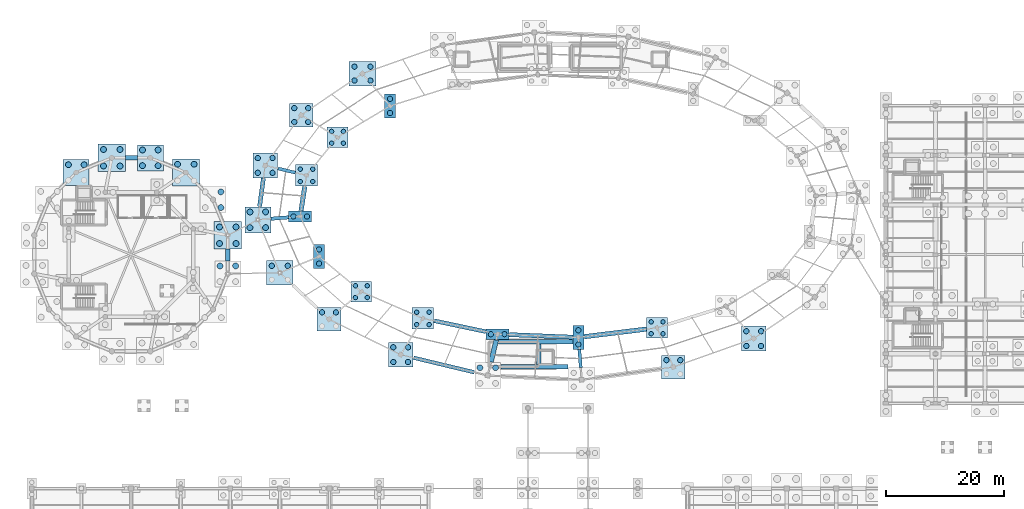
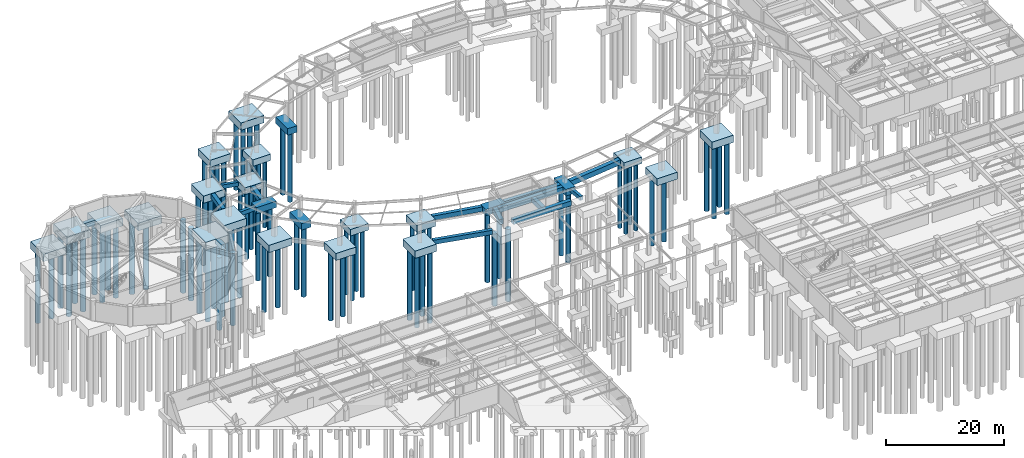
# One storey, part 5 of 38: 82 piles, 39 footings.
"""IFC4 building model written with IfcOpenShell, lengths in metres."""

from ifc_helpers import new_model, si_unit, direction, frame, origin, origin_2d, place, context, subcontext, project, spatial, polyline, rectangle, circle, outline, extrude, material, material_profile, profile_set, type_object, element, save


model = new_model("IFC4")

# Units and contexts
model_context = context("Model", 3, precision=1e-05, world=origin(), true_north=direction((0.0, 1.0)))
body_context = subcontext(model_context, "Body", "Model", "MODEL_VIEW")
ifc_project = project(units=[si_unit("LENGTHUNIT", "METRE"), si_unit("AREAUNIT", "SQUARE_METRE"), si_unit("VOLUMEUNIT", "CUBIC_METRE"), si_unit("PLANEANGLEUNIT", "RADIAN"), si_unit("MASSUNIT", "GRAM", prefix="KILO"), si_unit("THERMODYNAMICTEMPERATUREUNIT", "KELVIN"), si_unit("POWERUNIT", "WATT")], contexts=[model_context])

# Site, building, storey
site_placement = place(None, origin())
site = spatial("IfcSite", under=ifc_project, at=site_placement, CompositionType="ELEMENT")
building_placement = place(site_placement, origin())
building = spatial("IfcBuilding", under=site, at=building_placement, Name="Darbajah Civic Hall", CompositionType="ELEMENT")
storey_placement = place(building_placement, frame((0.0, 0.0, -4.199951171875)))
storey = spatial("IfcBuildingStorey", under=building, at=storey_placement, Name="B01", CompositionType="ELEMENT", Elevation=-4.199951171875)

# Piles
ifc_material = material(Name="Concrete C45/55", Category="concrete")
ifc_material_profile_1 = material_profile(ifc_material, circle(Radius=0.5, at=origin_2d()), Name="BORED PILE D1000")
ifc_profile_set_1 = profile_set([ifc_material_profile_1], Name="Concrete C45/55")
pile_type_1 = type_object("IfcPileType", Name="BORED PILE D1000", PredefinedType="BORED", material=ifc_profile_set_1)
for number, where, z_axis, x_axis, name in (
    (1, (36.93212890625, 86.160400390625, -1.449951171875), (0.0, 0.0, -1.0), (1.0, 0.0, 0.0), "B01 bored pile P-1000 V1O-10-1"),
    (2, (39.582275390625, 86.160400390625, -1.449951171875), (0.0, 0.0, -1.0), (1.0, 0.0, 0.0), "B01 bored pile P-1000 V1O-10-2"),
    (3, (36.93212890625, 88.810546875, -1.449951171875), (0.0, 0.0, -1.0), (1.0, 0.0, 0.0), "B01 bored pile P-1000 V1O-10-3"),
    (4, (39.582275390625, 88.810546875, -1.449951171875), (0.0, 0.0, -1.0), (1.0, 0.0, 0.0), "B01 bored pile P-1000 V1O-10-4"),
    (5, (75.869384765625, 62.440185546875, -1.449951171875), (0.0, 0.0, -1.0), (1.0, 0.0, 0.0), "B01 bored pile P-1000 V1O-14-3"),
    (6, (78.519287109375, 62.440185546875, -1.449951171875), (0.0, 0.0, -1.0), (1.0, 0.0, 0.0), "B01 bored pile P-1000 V1O-14-4"),
):
    element("IfcPile", number, at=place(storey_placement, frame(where, z_axis=z_axis, x_axis=x_axis)), inside=storey, type_object=pile_type_1, Name=name, PredefinedType="BORED", context=body_context, shape_type="SweptSolid", body=[
        extrude(circle(Radius=0.5, at=origin_2d()), origin(), (0.0, 0.0, 1.0), 15.0),
    ])
for number, where, z_axis, x_axis, name in (
    (7, (31.780029296875, 83.458251953125, -1.5), (0.0, 0.0, -1.0), (1.0, 0.0, 0.0), "B01 bored pile P-1000 V2D-00-1"),
    (8, (34.580078125, 83.458251953125, -1.5), (0.0, 0.0, -1.0), (1.0, 0.0, 0.0), "B01 bored pile P-1000 V2D-00-2"),
    (9, (31.780029296875, 86.25830078125, -1.5), (0.0, 0.0, -1.0), (1.0, 0.0, 0.0), "B01 bored pile P-1000 V2D-00-3"),
    (10, (34.580078125, 86.25830078125, -1.5), (0.0, 0.0, -1.0), (1.0, 0.0, 0.0), "B01 bored pile P-1000 V2D-00-4"),
):
    element("IfcPile", number, at=place(storey_placement, frame(where, z_axis=z_axis, x_axis=x_axis)), inside=storey, type_object=pile_type_1, Name=name, PredefinedType="BORED", context=body_context, shape_type="SweptSolid", body=[
        extrude(circle(Radius=0.5, at=origin_2d()), origin(), (0.0, 0.0, 1.0), 15.5),
    ])
for number, where, z_axis, x_axis, name in (
    (11, (32.01123046875, 89.553466796875, -1.449951171875), (0.0, 0.0, -1.0), (1.0, 0.0, 0.0), "B01 bored pile P-1000 V2D-01-2"),
    (12, (32.01123046875, 92.20361328125, -1.449951171875), (0.0, 0.0, -1.0), (1.0, 0.0, 0.0), "B01 bored pile P-1000 V2D-01-4"),
):
    element("IfcPile", number, at=place(storey_placement, frame(where, z_axis=z_axis, x_axis=x_axis)), inside=storey, type_object=pile_type_1, Name=name, PredefinedType="BORED", context=body_context, shape_type="SweptSolid", body=[
        extrude(circle(Radius=0.5, at=origin_2d()), origin(), (0.0, 0.0, 1.0), 15.0),
    ])
for number, where, z_axis, x_axis, name in (
    (13, (24.678466796875, 96.88623046875, -1.5), (0.0, 0.0, -1.0), (1.0, 0.0, 0.0), "B01 bored pile P-1000 V2D-02-3"),
    (14, (27.478515625, 96.88623046875, -1.5), (0.0, 0.0, -1.0), (1.0, 0.0, 0.0), "B01 bored pile P-1000 V2D-02-4"),
):
    element("IfcPile", number, at=place(storey_placement, frame(where, z_axis=z_axis, x_axis=x_axis)), inside=storey, type_object=pile_type_1, Name=name, PredefinedType="BORED", context=body_context, shape_type="SweptSolid", body=[
        extrude(circle(Radius=0.5, at=origin_2d()), origin(), (0.0, 0.0, 1.0), 15.5),
    ])
for number, where, z_axis, x_axis, name in (
    (15, (18.733154296875, 96.655029296875, -1.449951171875), (0.0, 0.0, -1.0), (1.0, 0.0, 0.0), "B01 bored pile P-1000 V2D-03-1"),
    (16, (21.38330078125, 96.655029296875, -1.449951171875), (0.0, 0.0, -1.0), (1.0, 0.0, 0.0), "B01 bored pile P-1000 V2D-03-2"),
    (17, (18.733154296875, 99.304931640625, -1.449951171875), (0.0, 0.0, -1.0), (1.0, 0.0, 0.0), "B01 bored pile P-1000 V2D-03-3"),
    (18, (21.38330078125, 99.304931640625, -1.449951171875), (0.0, 0.0, -1.0), (1.0, 0.0, 0.0), "B01 bored pile P-1000 V2D-03-4"),
):
    element("IfcPile", number, at=place(storey_placement, frame(where, z_axis=z_axis, x_axis=x_axis)), inside=storey, type_object=pile_type_1, Name=name, PredefinedType="BORED", context=body_context, shape_type="SweptSolid", body=[
        extrude(circle(Radius=0.5, at=origin_2d()), origin(), (0.0, 0.0, 1.0), 15.0),
    ])
for number, where, z_axis, x_axis, name in (
    (19, (12.141845703125, 96.580078125, -1.5), (0.0, 0.0, -1.0), (1.0, 0.0, 0.0), "B01 bored pile P-1000 V2D-04-1"),
    (20, (14.94189453125, 96.580078125, -1.5), (0.0, 0.0, -1.0), (1.0, 0.0, 0.0), "B01 bored pile P-1000 V2D-04-2"),
    (21, (12.141845703125, 99.3798828125, -1.5), (0.0, 0.0, -1.0), (1.0, 0.0, 0.0), "B01 bored pile P-1000 V2D-04-3"),
    (22, (14.94189453125, 99.3798828125, -1.5), (0.0, 0.0, -1.0), (1.0, 0.0, 0.0), "B01 bored pile P-1000 V2D-04-4"),
):
    element("IfcPile", number, at=place(storey_placement, frame(where, z_axis=z_axis, x_axis=x_axis)), inside=storey, type_object=pile_type_1, Name=name, PredefinedType="BORED", context=body_context, shape_type="SweptSolid", body=[
        extrude(circle(Radius=0.5, at=origin_2d()), origin(), (0.0, 0.0, 1.0), 15.5),
    ])
for number, where, z_axis, x_axis, name in (
    (23, (6.196533203125, 96.811279296875, -1.449951171875), (0.0, 0.0, -1.0), (1.0, 0.0, 0.0), "B01 bored pile P-1000 V2D-05-3"),
    (24, (8.846435546875, 96.811279296875, -1.449951171875), (0.0, 0.0, -1.0), (1.0, 0.0, 0.0), "B01 bored pile P-1000 V2D-05-4"),
    (25, (31.85498046875, 79.666748046875, -1.449951171875), (0.0, 0.0, -1.0), (1.0, 0.0, 0.0), "B01 bored pile P-1000 V2D-15-3"),
    (26, (34.5048828125, 79.666748046875, -1.449951171875), (0.0, 0.0, -1.0), (1.0, 0.0, 0.0), "B01 bored pile P-1000 V2D-15-4"),
):
    element("IfcPile", number, at=place(storey_placement, frame(where, z_axis=z_axis, x_axis=x_axis)), inside=storey, type_object=pile_type_1, Name=name, PredefinedType="BORED", context=body_context, shape_type="SweptSolid", body=[
        extrude(circle(Radius=0.5, at=origin_2d()), origin(), (0.0, 0.0, 1.0), 15.0),
    ])
ifc_material_profile_2 = material_profile(ifc_material, circle(Radius=0.375, at=origin_2d()), Name="BORED PILE D750")
ifc_profile_set_2 = profile_set([ifc_material_profile_2], Name="Concrete C45/55")
pile_type_2 = type_object("IfcPileType", Name="BORED PILE D750", PredefinedType="BORED", material=ifc_profile_set_2)
for number, where, z_axis, x_axis, name in (
    (27, (50.75439453125, 100.45166015625, -1.25), (0.0, 0.0, -1.0), (1.0, 0.0, 0.0), "B01 bored pile P-750 V1I-08-1"),
    (28, (52.75439453125, 100.45166015625, -1.25), (0.0, 0.0, -1.0), (1.0, 0.0, 0.0), "B01 bored pile P-750 V1I-08-2"),
    (29, (50.75439453125, 102.45166015625, -1.25), (0.0, 0.0, -1.0), (1.0, 0.0, 0.0), "B01 bored pile P-750 V1I-08-3"),
    (30, (52.75439453125, 102.45166015625, -1.25), (0.0, 0.0, -1.0), (1.0, 0.0, 0.0), "B01 bored pile P-750 V1I-08-4"),
    (31, (45.460205078125, 93.955810546875, -1.300048828125), (0.0, 0.0, -1.0), (1.0, 0.0, 0.0), "B01 bored pile P-750 V1I-09-1"),
    (32, (47.560302734375, 93.955810546875, -1.300048828125), (0.0, 0.0, -1.0), (1.0, 0.0, 0.0), "B01 bored pile P-750 V1I-09-2"),
    (33, (45.460205078125, 96.055908203125, -1.300048828125), (0.0, 0.0, -1.0), (1.0, 0.0, 0.0), "B01 bored pile P-750 V1I-09-3"),
    (34, (47.560302734375, 96.055908203125, -1.300048828125), (0.0, 0.0, -1.0), (1.0, 0.0, 0.0), "B01 bored pile P-750 V1I-09-4"),
    (35, (54.794189453125, 74.3173828125, -1.25), (0.0, 0.0, -1.0), (1.0, 0.0, 0.0), "B01 bored pile P-750 V1I-12-1"),
    (36, (56.794189453125, 74.3173828125, -1.25), (0.0, 0.0, -1.0), (1.0, 0.0, 0.0), "B01 bored pile P-750 V1I-12-2"),
    (37, (54.794189453125, 76.3173828125, -1.25), (0.0, 0.0, -1.0), (1.0, 0.0, 0.0), "B01 bored pile P-750 V1I-12-3"),
    (38, (56.794189453125, 76.3173828125, -1.25), (0.0, 0.0, -1.0), (1.0, 0.0, 0.0), "B01 bored pile P-750 V1I-12-4"),
    (39, (65.16455078125, 69.736083984375, -1.300048828125), (0.0, 0.0, -1.0), (1.0, 0.0, 0.0), "B01 bored pile P-750 V1I-13-1"),
    (40, (67.2646484375, 69.736083984375, -1.300048828125), (0.0, 0.0, -1.0), (1.0, 0.0, 0.0), "B01 bored pile P-750 V1I-13-2"),
    (41, (65.16455078125, 71.836181640625, -1.300048828125), (0.0, 0.0, -1.0), (1.0, 0.0, 0.0), "B01 bored pile P-750 V1I-13-3"),
    (42, (67.2646484375, 71.836181640625, -1.300048828125), (0.0, 0.0, -1.0), (1.0, 0.0, 0.0), "B01 bored pile P-750 V1I-13-4"),
    (43, (104.861572265625, 68.197509765625, -1.25), (0.0, 0.0, -1.0), (1.0, 0.0, 0.0), "B01 bored pile P-750 V1I-16-1"),
    (44, (106.861572265625, 68.197509765625, -1.25), (0.0, 0.0, -1.0), (1.0, 0.0, 0.0), "B01 bored pile P-750 V1I-16-2"),
    (45, (104.861572265625, 70.197509765625, -1.25), (0.0, 0.0, -1.0), (1.0, 0.0, 0.0), "B01 bored pile P-750 V1I-16-3"),
    (46, (106.861572265625, 70.197509765625, -1.25), (0.0, 0.0, -1.0), (1.0, 0.0, 0.0), "B01 bored pile P-750 V1I-16-4"),
):
    element("IfcPile", number, at=place(storey_placement, frame(where, z_axis=z_axis, x_axis=x_axis)), inside=storey, type_object=pile_type_2, Name=name, PredefinedType="BORED", context=body_context, shape_type="SweptSolid", body=[
        extrude(circle(Radius=0.375, at=origin_2d()), origin(), (0.0, 0.0, 1.0), 14.0),
    ])
ifc_material_profile_3 = material_profile(ifc_material, circle(Radius=0.449951171875, at=origin_2d()), Name="BORED PILE D900")
ifc_profile_set_3 = profile_set([ifc_material_profile_3], Name="Concrete C45/55")
pile_type_3 = type_object("IfcPileType", Name="BORED PILE D900", PredefinedType="BORED", material=ifc_profile_set_3)
for number, where, z_axis, x_axis, name in (
    (47, (54.628173828125, 111.056884765625, -1.420166015625), (0.0, 0.0, -1.0), (1.0, 0.0, 0.0), "B01 bored pile P-900 V1O-07-1"),
    (48, (57.328125, 111.056884765625, -1.420166015625), (0.0, 0.0, -1.0), (1.0, 0.0, 0.0), "B01 bored pile P-900 V1O-07-2"),
    (49, (54.628173828125, 113.406982421875, -1.420166015625), (0.0, 0.0, -1.0), (1.0, 0.0, 0.0), "B01 bored pile P-900 V1O-07-3"),
    (50, (57.328125, 113.406982421875, -1.420166015625), (0.0, 0.0, -1.0), (1.0, 0.0, 0.0), "B01 bored pile P-900 V1O-07-4"),
    (51, (60.654296875, 105.55712890625, -1.25), (0.0, 0.0, -1.0), (1.0, 0.0, 0.0), "B01 bored pile P-900 V1I-07-1"),
    (52, (60.654296875, 107.95703125, -1.25), (0.0, 0.0, -1.0), (1.0, 0.0, 0.0), "B01 bored pile P-900 V1I-07-2"),
    (53, (44.4404296875, 104.038818359375, -1.35009765625), (0.0, 0.0, -1.0), (1.0, 0.0, 0.0), "B01 bored pile P-900 V1O-08-1"),
    (54, (46.790283203125, 104.038818359375, -1.35009765625), (0.0, 0.0, -1.0), (1.0, 0.0, 0.0), "B01 bored pile P-900 V1O-08-2"),
    (55, (44.4404296875, 106.388671875, -1.35009765625), (0.0, 0.0, -1.0), (1.0, 0.0, 0.0), "B01 bored pile P-900 V1O-08-3"),
    (56, (46.790283203125, 106.388671875, -1.35009765625), (0.0, 0.0, -1.0), (1.0, 0.0, 0.0), "B01 bored pile P-900 V1O-08-4"),
):
    element("IfcPile", number, at=place(storey_placement, frame(where, z_axis=z_axis, x_axis=x_axis)), inside=storey, type_object=pile_type_3, Name=name, PredefinedType="BORED", context=body_context, shape_type="SweptSolid", body=[
        extrude(circle(Radius=0.449951171875, at=origin_2d()), origin(), (0.0, 0.0, 1.0), 14.5),
    ])
for number, where, z_axis, x_axis, name in (
    (57, (38.259033203125, 95.4365234375, -1.400146484375), (0.0, 0.0, -1.0), (1.0, 0.0, 0.0), "B01 bored pile P-900 V1O-09-1"),
    (58, (40.759033203125, 95.4365234375, -1.400146484375), (0.0, 0.0, -1.0), (1.0, 0.0, 0.0), "B01 bored pile P-900 V1O-09-2"),
    (59, (38.259033203125, 97.9365234375, -1.400146484375), (0.0, 0.0, -1.0), (1.0, 0.0, 0.0), "B01 bored pile P-900 V1O-09-3"),
    (60, (40.759033203125, 97.9365234375, -1.400146484375), (0.0, 0.0, -1.0), (1.0, 0.0, 0.0), "B01 bored pile P-900 V1O-09-4"),
):
    element("IfcPile", number, at=place(storey_placement, frame(where, z_axis=z_axis, x_axis=x_axis)), inside=storey, type_object=pile_type_3, Name=name, PredefinedType="BORED", context=body_context, shape_type="SweptSolid", body=[
        extrude(circle(Radius=0.449951171875, at=origin_2d()), origin(), (0.0, 0.0, 1.0), 15.0),
    ])
for number, where, z_axis, x_axis, name in (
    (61, (44.284912109375, 88.05029296875, -1.199951171875), (0.0, 0.0, -1.0), (1.0, 0.0, 0.0), "B01 bored pile P-900 V1I-10-1"),
    (62, (46.5849609375, 88.05029296875, -1.199951171875), (0.0, 0.0, -1.0), (1.0, 0.0, 0.0), "B01 bored pile P-900 V1I-10-2"),
    (63, (40.632080078125, 79.685791015625, -1.420166015625), (0.0, 0.0, -1.0), (1.0, 0.0, 0.0), "B01 bored pile P-900 V1O-11-3"),
    (64, (43.33203125, 79.685791015625, -1.420166015625), (0.0, 0.0, -1.0), (1.0, 0.0, 0.0), "B01 bored pile P-900 V1O-11-4"),
    (65, (48.634033203125, 80.066162109375, -1.25), (0.0, 0.0, -1.0), (1.0, 0.0, 0.0), "B01 bored pile P-900 V1I-11-1"),
    (66, (48.634033203125, 82.46630859375, -1.25), (0.0, 0.0, -1.0), (1.0, 0.0, 0.0), "B01 bored pile P-900 V1I-11-2"),
    (67, (49.144287109375, 71.81640625, -1.35009765625), (0.0, 0.0, -1.0), (1.0, 0.0, 0.0), "B01 bored pile P-900 V1O-12-3"),
    (68, (51.494384765625, 71.81640625, -1.35009765625), (0.0, 0.0, -1.0), (1.0, 0.0, 0.0), "B01 bored pile P-900 V1O-12-4"),
):
    element("IfcPile", number, at=place(storey_placement, frame(where, z_axis=z_axis, x_axis=x_axis)), inside=storey, type_object=pile_type_3, Name=name, PredefinedType="BORED", context=body_context, shape_type="SweptSolid", body=[
        extrude(circle(Radius=0.449951171875, at=origin_2d()), origin(), (0.0, 0.0, 1.0), 14.5),
    ])
for number, where, z_axis, x_axis, name in (
    (69, (61.20263671875, 63.397216796875, -1.400146484375), (0.0, 0.0, -1.0), (1.0, 0.0, 0.0), "B01 bored pile P-900 V1O-13-1"),
    (70, (63.70263671875, 63.397216796875, -1.400146484375), (0.0, 0.0, -1.0), (1.0, 0.0, 0.0), "B01 bored pile P-900 V1O-13-2"),
    (71, (61.20263671875, 65.897216796875, -1.400146484375), (0.0, 0.0, -1.0), (1.0, 0.0, 0.0), "B01 bored pile P-900 V1O-13-3"),
    (72, (63.70263671875, 65.897216796875, -1.400146484375), (0.0, 0.0, -1.0), (1.0, 0.0, 0.0), "B01 bored pile P-900 V1O-13-4"),
):
    element("IfcPile", number, at=place(storey_placement, frame(where, z_axis=z_axis, x_axis=x_axis)), inside=storey, type_object=pile_type_3, Name=name, PredefinedType="BORED", context=body_context, shape_type="SweptSolid", body=[
        extrude(circle(Radius=0.449951171875, at=origin_2d()), origin(), (0.0, 0.0, 1.0), 15.0),
    ])
for number, where, z_axis, x_axis, name in (
    (73, (77.72509765625, 68.1162109375, -1.199951171875), (0.0, 0.0, -1.0), (1.0, 0.0, 0.0), "B01 bored pile P-900 V1I-14-1"),
    (74, (80.025146484375, 68.1162109375, -1.199951171875), (0.0, 0.0, -1.0), (1.0, 0.0, 0.0), "B01 bored pile P-900 V1I-14-2"),
    (75, (92.53662109375, 66.36865234375, -1.25), (0.0, 0.0, -1.0), (1.0, 0.0, 0.0), "B01 bored pile P-900 V1I-15-1"),
    (76, (92.53662109375, 68.768798828125, -1.25), (0.0, 0.0, -1.0), (1.0, 0.0, 0.0), "B01 bored pile P-900 V1I-15-2"),
    (77, (107.44189453125, 63.720703125, -1.35009765625), (0.0, 0.0, -1.0), (1.0, 0.0, 0.0), "B01 bored pile P-900 V1O-16-3"),
    (78, (109.7919921875, 63.720703125, -1.35009765625), (0.0, 0.0, -1.0), (1.0, 0.0, 0.0), "B01 bored pile P-900 V1O-16-4"),
):
    element("IfcPile", number, at=place(storey_placement, frame(where, z_axis=z_axis, x_axis=x_axis)), inside=storey, type_object=pile_type_3, Name=name, PredefinedType="BORED", context=body_context, shape_type="SweptSolid", body=[
        extrude(circle(Radius=0.449951171875, at=origin_2d()), origin(), (0.0, 0.0, 1.0), 14.5),
    ])
for number, where, z_axis, x_axis, name in (
    (79, (120.971923828125, 66.117919921875, -1.400146484375), (0.0, 0.0, -1.0), (1.0, 0.0, 0.0), "B01 bored pile P-900 V1O-17-1"),
    (80, (123.471923828125, 66.117919921875, -1.400146484375), (0.0, 0.0, -1.0), (1.0, 0.0, 0.0), "B01 bored pile P-900 V1O-17-2"),
    (81, (120.971923828125, 68.617919921875, -1.400146484375), (0.0, 0.0, -1.0), (1.0, 0.0, 0.0), "B01 bored pile P-900 V1O-17-3"),
    (82, (123.471923828125, 68.617919921875, -1.400146484375), (0.0, 0.0, -1.0), (1.0, 0.0, 0.0), "B01 bored pile P-900 V1O-17-4"),
):
    element("IfcPile", number, at=place(storey_placement, frame(where, z_axis=z_axis, x_axis=x_axis)), inside=storey, type_object=pile_type_3, Name=name, PredefinedType="BORED", context=body_context, shape_type="SweptSolid", body=[
        extrude(circle(Radius=0.449951171875, at=origin_2d()), origin(), (0.0, 0.0, 1.0), 15.0),
    ])

# Footings
footing_type_1 = type_object("IfcFootingType", Name="Ground Strip Footing 550x800", PredefinedType="STRIP_FOOTING", material=ifc_material)
footing_1_placement = place(storey_placement, frame((0.0, 0.0, -0.800048828125)))
element("IfcFooting", 83, at=footing_1_placement, inside=storey, type_object=footing_type_1, Name="B01 ground strip footing SF-06", PredefinedType="STRIP_FOOTING", context=body_context, shape_type="SweptSolid", body=[
    extrude(outline(polyline([(44.68017578125, 95.72802734375), (41.742431640625, 96.43310546875), (41.614013671875, 95.8984375), (44.5517578125, 95.193115234375), (44.68017578125, 95.72802734375)])), origin(), (0.0, 0.0, 1.0), 0.800048828125),
])
footing_2_placement = place(storey_placement, frame((0.0, 0.0, -0.800048828125)))
element("IfcFooting", 84, at=footing_2_placement, inside=storey, type_object=footing_type_1, Name="B01 ground strip footing SF-06", PredefinedType="STRIP_FOOTING", context=body_context, shape_type="SweptSolid", body=[
    extrude(outline(polyline([(92.423828125, 65.49560546875), (92.661865234375, 62.470947265625), (93.210205078125, 62.51416015625), (92.97216796875, 65.538818359375), (92.423828125, 65.49560546875)])), origin(), (0.0, 0.0, 1.0), 0.800048828125),
])
footing_type_2 = type_object("IfcFootingType", Name="Ground Strip Footing 600x850", PredefinedType="STRIP_FOOTING", material=ifc_material)
footing_3_placement = place(storey_placement, frame((0.0, 0.0, -0.85009765625)))
element("IfcFooting", 85, at=footing_3_placement, inside=storey, type_object=footing_type_2, Name="B01 ground strip footing SF-01", PredefinedType="STRIP_FOOTING", context=body_context, shape_type="SweptSolid", body=[
    extrude(outline(polyline([(43.432861328125, 88.19384765625), (40.462158203125, 87.9599609375), (40.50927734375, 87.36181640625), (43.47998046875, 87.595703125), (43.432861328125, 88.19384765625)])), origin(), (0.0, 0.0, 1.0), 0.85009765625),
])
footing_type_3 = type_object("IfcFootingType", Name="Ground Strip Footing 650x900", PredefinedType="STRIP_FOOTING", material=ifc_material)
footing_4_placement = place(storey_placement, frame((0.0, 0.0, -0.900146484375)))
element("IfcFooting", 86, at=footing_4_placement, inside=storey, type_object=footing_type_3, Name="B01 ground strip footing SF-02", PredefinedType="STRIP_FOOTING", context=body_context, shape_type="SweptSolid", body=[
    extrude(outline(polyline([(64.5576171875, 63.80859375), (74.837890625, 61.345458984375), (74.9892578125, 61.9775390625), (64.708984375, 64.440673828125), (64.5576171875, 63.80859375)])), origin(), (0.0, 0.0, 1.0), 0.900146484375),
])
footing_type_4 = type_object("IfcFootingType", Name="Ground Strip Footing 700x950", PredefinedType="STRIP_FOOTING", material=ifc_material)
footing_5_placement = place(storey_placement, frame((0.0, 0.0, -0.949951171875)))
element("IfcFooting", 87, at=footing_5_placement, inside=storey, type_object=footing_type_4, Name="B01 ground strip footing SF-03", PredefinedType="STRIP_FOOTING", context=body_context, shape_type="SweptSolid", body=[
    extrude(outline(polyline([(68.044677734375, 70.04248046875), (76.775634765625, 68.201171875), (76.920166015625, 68.88623046875), (68.18896484375, 70.727294921875), (68.044677734375, 70.04248046875)])), origin(), (0.0, 0.0, 1.0), 0.949951171875),
])
footing_type_5 = type_object("IfcFootingType", Name="Ground Strip Footing 750x1000", PredefinedType="STRIP_FOOTING", material=ifc_material)
footing_6_placement = place(storey_placement, frame((0.0, 0.0, -1.0)))
element("IfcFooting", 88, at=footing_6_placement, inside=storey, type_object=footing_type_5, Name="B01 ground strip footing SF-04", PredefinedType="STRIP_FOOTING", context=body_context, shape_type="SweptSolid", body=[
    extrude(outline(polyline([(38.84423828125, 94.58154296875), (38.1923828125, 89.79150390625), (38.935791015625, 89.6904296875), (39.58740234375, 94.48046875), (38.84423828125, 94.58154296875)])), origin(), (0.0, 0.0, 1.0), 1.0),
])
footing_7_placement = place(storey_placement, frame((0.0, 0.0, -1.0)))
element("IfcFooting", 89, at=footing_7_placement, inside=storey, type_object=footing_type_5, Name="B01 ground strip footing SF-04", PredefinedType="STRIP_FOOTING", context=body_context, shape_type="SweptSolid", body=[
    extrude(outline(polyline([(80.830078125, 67.66259765625), (91.576416015625, 67.23193359375), (91.6064453125, 67.981201171875), (80.860107421875, 68.411865234375), (80.830078125, 67.66259765625)])), origin(), (0.0, 0.0, 1.0), 1.0),
])
footing_8_placement = place(storey_placement, frame((0.0, 0.0, -1.0)))
element("IfcFooting", 90, at=footing_8_placement, inside=storey, type_object=footing_type_5, Name="B01 ground strip footing SF-04", PredefinedType="STRIP_FOOTING", context=body_context, shape_type="SweptSolid", body=[
    extrude(outline(polyline([(17.853271484375, 98.35498046875), (15.8466796875, 98.35498046875), (15.8466796875, 97.60498046875), (17.853271484375, 97.60498046875), (17.853271484375, 98.35498046875)])), origin(), (0.0, 0.0, 1.0), 1.0),
])
footing_9_placement = place(storey_placement, frame((0.0, 0.0, -1.0)))
element("IfcFooting", 91, at=footing_9_placement, inside=storey, type_object=footing_type_5, Name="B01 ground strip footing SF-04", PredefinedType="STRIP_FOOTING", context=body_context, shape_type="SweptSolid", body=[
    extrude(outline(polyline([(33.554931640625, 80.546875), (33.554931640625, 82.55322265625), (32.804931640625, 82.55322265625), (32.804931640625, 80.546875), (33.554931640625, 80.546875)])), origin(), (0.0, 0.0, 1.0), 1.0),
])
footing_10_placement = place(storey_placement, frame((0.0, 0.0, -1.0)))
element("IfcFooting", 92, at=footing_10_placement, inside=storey, type_object=footing_type_5, Name="B01 core C03 strip footing S", PredefinedType="STRIP_FOOTING", context=body_context, shape_type="SweptSolid", body=[
    extrude(outline(polyline([(79.40234375, 62.22509765625), (90.808837890625, 62.22509765625), (90.808837890625, 62.97509765625), (79.40234375, 62.97509765625), (79.40234375, 62.22509765625)])), origin(), (0.0, 0.0, 1.0), 1.0),
])
footing_11_placement = place(storey_placement, frame((0.0, 0.0, -1.0)))
element("IfcFooting", 93, at=footing_11_placement, inside=storey, type_object=footing_type_5, Name="B01 core C03 strip footing N", PredefinedType="STRIP_FOOTING", context=body_context, shape_type="SweptSolid", body=[
    extrude(outline(polyline([(79.039794921875, 66.425048828125), (91.603515625, 66.425048828125), (91.603515625, 67.175048828125), (79.039794921875, 67.175048828125), (79.039794921875, 66.425048828125)])), origin(), (0.0, 0.0, 1.0), 1.0),
])
footing_12_placement = place(storey_placement, frame((0.0, 0.0, -1.0)))
element("IfcFooting", 94, at=footing_12_placement, inside=storey, type_object=footing_type_5, Name="B01 core C03 strip footing E", PredefinedType="STRIP_FOOTING", context=body_context, shape_type="SweptSolid", body=[
    extrude(outline(polyline([(85.425048828125, 62.985107421875), (86.175048828125, 62.985107421875), (86.175048828125, 66.4150390625), (85.425048828125, 66.4150390625), (85.425048828125, 62.985107421875)])), origin(), (0.0, 0.0, 1.0), 1.0),
])
footing_type_6 = type_object("IfcFootingType", Name="Ground Strip Footing 800x1050", PredefinedType="STRIP_FOOTING", material=ifc_material)
footing_13_placement = place(storey_placement, frame((0.0, 0.0, -1.050048828125)))
element("IfcFooting", 95, at=footing_13_placement, inside=storey, type_object=footing_type_6, Name="B01 ground strip footing SF-05", PredefinedType="STRIP_FOOTING", context=body_context, shape_type="SweptSolid", body=[
    extrude(outline(polyline([(45.822509765625, 93.17578125), (45.18896484375, 89.07763671875), (45.979736328125, 88.955322265625), (46.61328125, 93.0537109375), (45.822509765625, 93.17578125)])), origin(), (0.0, 0.0, 1.0), 1.050048828125),
])
footing_14_placement = place(storey_placement, frame((0.0, 0.0, -1.050048828125)))
element("IfcFooting", 96, at=footing_14_placement, inside=storey, type_object=footing_type_6, Name="B01 ground strip footing SF-05", PredefinedType="STRIP_FOOTING", context=body_context, shape_type="SweptSolid", body=[
    extrude(outline(polyline([(78.24658203125, 67.211181640625), (77.357177734375, 63.5068359375), (78.135009765625, 63.320068359375), (79.0244140625, 67.0244140625), (78.24658203125, 67.211181640625)])), origin(), (0.0, 0.0, 1.0), 1.050048828125),
])
footing_15_placement = place(storey_placement, frame((0.0, 0.0, -1.050048828125)))
element("IfcFooting", 97, at=footing_15_placement, inside=storey, type_object=footing_type_6, Name="B01 ground strip footing SF-05", PredefinedType="STRIP_FOOTING", context=body_context, shape_type="SweptSolid", body=[
    extrude(outline(polyline([(93.563720703125, 67.291259765625), (104.1064453125, 68.580078125), (104.009521484375, 69.3740234375), (93.466552734375, 68.08544921875), (93.563720703125, 67.291259765625)])), origin(), (0.0, 0.0, 1.0), 1.050048828125),
])
footing_type_7 = type_object("IfcFootingType", Name="Pile Cap 1850x4050x1350", PredefinedType="PILE_CAP", material=ifc_material)
for number, where, z_axis, x_axis, name in (
    (98, (60.654296875, 106.757080078125, -1.35009765625), (0.0, 0.0, 1.0), (1.0, 0.0, 0.0), "B01 pile cap PC-2D at V1I-07"),
    (99, (48.634033203125, 81.26611328125, -1.35009765625), (0.0, 0.0, 1.0), (1.0, 0.0, 0.0), "B01 pile cap PC-2D at V1I-11"),
    (100, (92.53662109375, 67.568603515625, -1.35009765625), (0.0, 0.0, 1.0), (1.0, 0.0, 0.0), "B01 pile cap PC-2D at V1I-15"),
):
    element("IfcFooting", number, at=place(storey_placement, frame(where, z_axis=z_axis, x_axis=x_axis)), inside=storey, type_object=footing_type_7, Name=name, PredefinedType="PILE_CAP", context=body_context, shape_type="SweptSolid", body=[
        extrude(rectangle(XDim=1.85009765625, YDim=4.050048828125, at=origin_2d()), origin(), (0.0, 0.0, 1.0), 1.35009765625),
    ])
footing_type_8 = type_object("IfcFootingType", Name="Pile Cap 3500x3500x1350", PredefinedType="PILE_CAP", material=ifc_material)
for number, where, z_axis, x_axis, name in (
    (101, (51.75439453125, 101.45166015625, -1.35009765625), (0.0, 0.0, 1.0), (1.0, 0.0, 0.0), "B01 pile cap PC-4A at V1I-08"),
    (102, (55.794189453125, 75.3173828125, -1.35009765625), (0.0, 0.0, 1.0), (1.0, 0.0, 0.0), "B01 pile cap PC-4A at V1I-12"),
    (103, (105.861572265625, 69.197509765625, -1.35009765625), (0.0, 0.0, 1.0), (1.0, 0.0, 0.0), "B01 pile cap PC-4A at V1I-16"),
):
    element("IfcFooting", number, at=place(storey_placement, frame(where, z_axis=z_axis, x_axis=x_axis)), inside=storey, type_object=footing_type_8, Name=name, PredefinedType="PILE_CAP", context=body_context, shape_type="SweptSolid", body=[
        extrude(rectangle(XDim=3.5, YDim=3.5, at=origin_2d()), origin(), (0.0, 0.0, 1.0), 1.35009765625),
    ])
footing_type_9 = type_object("IfcFootingType", Name="Pile Cap 3650x3650x1400", PredefinedType="PILE_CAP", material=ifc_material)
for number, where, z_axis, x_axis, name in (
    (104, (46.51025390625, 95.005859375, -1.39990234375), (0.0, 0.0, 1.0), (1.0, 0.0, 0.0), "B01 pile cap PC-4B at V1I-09"),
    (105, (66.214599609375, 70.7861328125, -1.39990234375), (0.0, 0.0, 1.0), (1.0, 0.0, 0.0), "B01 pile cap PC-4B at V1I-13"),
):
    element("IfcFooting", number, at=place(storey_placement, frame(where, z_axis=z_axis, x_axis=x_axis)), inside=storey, type_object=footing_type_9, Name=name, PredefinedType="PILE_CAP", context=body_context, shape_type="SweptSolid", body=[
        extrude(rectangle(XDim=3.64990234375, YDim=3.64990234375, at=origin_2d()), origin(), (0.0, 0.0, 1.0), 1.39990234375),
    ])
footing_type_10 = type_object("IfcFootingType", Name="Pile Cap 3900x1800x1300", PredefinedType="PILE_CAP", material=ifc_material)
for number, where, z_axis, x_axis, name in (
    (106, (45.43505859375, 88.05029296875, -1.30029296875), (0.0, 0.0, 1.0), (1.0, 0.0, 0.0), "B01 pile cap PC-2C at V1I-10"),
    (107, (78.875, 68.1162109375, -1.30029296875), (0.0, 0.0, 1.0), (1.0, 0.0, 0.0), "B01 pile cap PC-2C at V1I-14"),
):
    element("IfcFooting", number, at=place(storey_placement, frame(where, z_axis=z_axis, x_axis=x_axis)), inside=storey, type_object=footing_type_10, Name=name, PredefinedType="PILE_CAP", context=body_context, shape_type="SweptSolid", body=[
        extrude(rectangle(XDim=3.89990234375, YDim=1.800048828125, at=origin_2d()), origin(), (0.0, 0.0, 1.0), 1.300048828125),
    ])
footing_type_11 = type_object("IfcFootingType", Name="Pile Cap 4000x4000x1450", PredefinedType="PILE_CAP", material=ifc_material)
for number, where, z_axis, x_axis, name in (
    (108, (45.615478515625, 105.213623046875, -1.4501953125), (0.0, 0.0, 1.0), (1.0, 0.0, 0.0), "B01 pile cap PC-4C at V1O-08"),
    (109, (50.3193359375, 70.641357421875, -1.4501953125), (0.0, 0.0, 1.0), (1.0, 0.0, 0.0), "B01 pile cap PC-4C at V1O-12"),
    (110, (108.616943359375, 62.545654296875, -1.4501953125), (0.0, 0.0, 1.0), (1.0, 0.0, 0.0), "B01 pile cap PC-4C at V1O-16"),
):
    element("IfcFooting", number, at=place(storey_placement, frame(where, z_axis=z_axis, x_axis=x_axis)), inside=storey, type_object=footing_type_11, Name=name, PredefinedType="PILE_CAP", context=body_context, shape_type="SweptSolid", body=[
        extrude(rectangle(XDim=4.0, YDim=4.0, at=origin_2d()), origin(), (0.0, 0.0, 1.0), 1.449951171875),
    ])
footing_type_12 = type_object("IfcFootingType", Name="Pile Cap 4200x4200x1500", PredefinedType="PILE_CAP", material=ifc_material)
for number, where, z_axis, x_axis, name in (
    (111, (39.509033203125, 96.6865234375, -1.5), (0.0, 0.0, 1.0), (1.0, 0.0, 0.0), "B01 pile cap PC-4D at V1O-09"),
    (112, (62.45263671875, 64.647216796875, -1.5), (0.0, 0.0, 1.0), (1.0, 0.0, 0.0), "B01 pile cap PC-4D at V1O-13"),
    (113, (122.221923828125, 67.367919921875, -1.5), (0.0, 0.0, 1.0), (1.0, 0.0, 0.0), "B01 pile cap PC-4D at V1O-17"),
):
    element("IfcFooting", number, at=place(storey_placement, frame(where, z_axis=z_axis, x_axis=x_axis)), inside=storey, type_object=footing_type_12, Name=name, PredefinedType="PILE_CAP", context=body_context, shape_type="SweptSolid", body=[
        extrude(rectangle(XDim=4.199951171875, YDim=4.199951171875, at=origin_2d()), origin(), (0.0, 0.0, 1.0), 1.5),
    ])
footing_type_13 = type_object("IfcFootingType", Name="Pile Cap 4400x4400x1550", PredefinedType="PILE_CAP", material=ifc_material)
for number, where, z_axis, x_axis, name in (
    (114, (38.257080078125, 87.485595703125, -1.55029296875), (0.0, 0.0, 1.0), (1.0, 0.0, 0.0), "B01 pile cap PC-4E at V1O-10"),
    (115, (20.05810546875, 97.97998046875, -1.55029296875), (0.0, 0.0, 1.0), (1.0, 0.0, 0.0), "B01 pile cap PC-4E at V2D-03"),
    (116, (7.521484375, 95.486328125, -1.55029296875), (0.0, 0.0, 1.0), (1.0, 0.0, 0.0), "B01 pile cap PC-4E at V2D-05"),
):
    element("IfcFooting", number, at=place(storey_placement, frame(where, z_axis=z_axis, x_axis=x_axis)), inside=storey, type_object=footing_type_13, Name=name, PredefinedType="PILE_CAP", context=body_context, shape_type="SweptSolid", body=[
        extrude(rectangle(XDim=4.39990234375, YDim=4.39990234375, at=origin_2d()), origin(), (0.0, 0.0, 1.0), 1.550048828125),
    ])
footing_type_14 = type_object("IfcFootingType", Name="Pile Cap 4550x4150x1520", PredefinedType="PILE_CAP", material=ifc_material)
for number, where, z_axis, x_axis, name in (
    (117, (55.97802734375, 112.23193359375, -1.52001953125), (0.0, 0.0, 1.0), (1.0, 0.0, 0.0), "B01 pile cap PC-4K at V1O-07"),
    (118, (41.982177734375, 78.5107421875, -1.52001953125), (0.0, 0.0, 1.0), (1.0, 0.0, 0.0), "B01 pile cap PC-4K at V1O-11"),
):
    element("IfcFooting", number, at=place(storey_placement, frame(where, z_axis=z_axis, x_axis=x_axis)), inside=storey, type_object=footing_type_14, Name=name, PredefinedType="PILE_CAP", context=body_context, shape_type="SweptSolid", body=[
        extrude(rectangle(XDim=4.550048828125, YDim=4.14990234375, at=origin_2d()), origin(), (0.0, 0.0, 1.0), 1.52001953125),
    ])
footing_type_15 = type_object("IfcFootingType", Name="Pile Cap 4600x4600x1600", PredefinedType="PILE_CAP", material=ifc_material)
for number, where, z_axis, x_axis, name in (
    (119, (33.179931640625, 84.858154296875, -1.60009765625), (0.0, 0.0, 1.0), (1.0, 0.0, 0.0), "B01 pile cap PC-4F at V2D-00"),
    (120, (26.07861328125, 95.486328125, -1.60009765625), (0.0, 0.0, 1.0), (1.0, 0.0, 0.0), "B01 pile cap PC-4F at V2D-02"),
    (121, (13.541748046875, 97.97998046875, -1.60009765625), (0.0, 0.0, 1.0), (1.0, 0.0, 0.0), "B01 pile cap PC-4F at V2D-04"),
):
    element("IfcFooting", number, at=place(storey_placement, frame(where, z_axis=z_axis, x_axis=x_axis)), inside=storey, type_object=footing_type_15, Name=name, PredefinedType="PILE_CAP", context=body_context, shape_type="SweptSolid", body=[
        extrude(rectangle(XDim=4.60009765625, YDim=4.60009765625, at=origin_2d()), origin(), (0.0, 0.0, 1.0), 1.60009765625),
    ])

save(model, "model.ifc")
